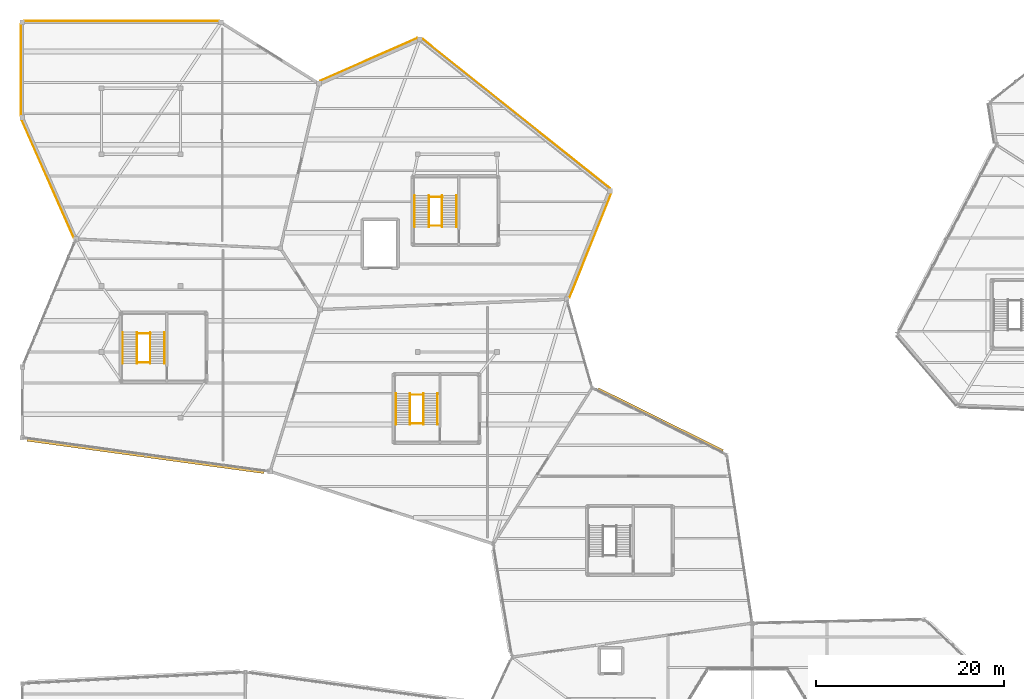
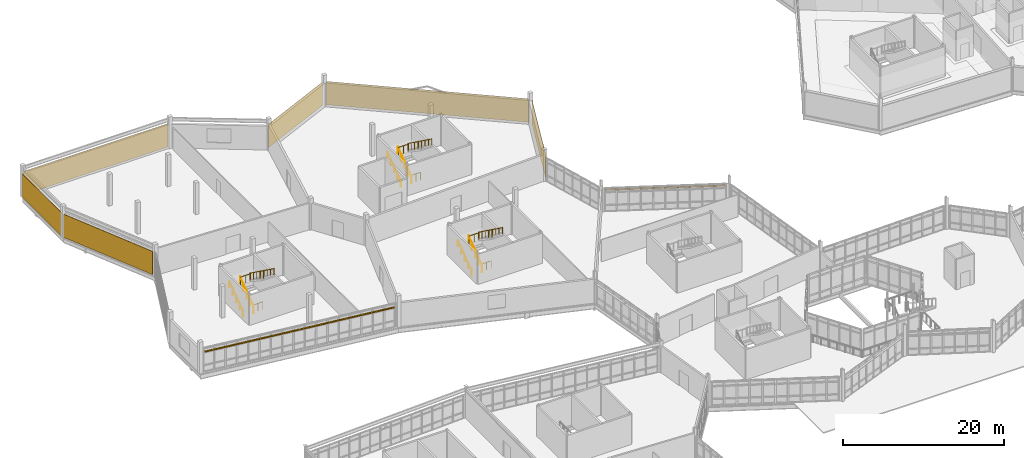
# One storey, part 132 of 134: 18 railings, 6 coverings, 2 shading devices.
"""IFC4 building model written with IfcOpenShell, lengths in metres."""

from ifc_helpers import new_model, si_unit, direction, frame, frame_2d, origin, origin_2d, place, context, subcontext, project, spatial, rectangle, circle, extrude, material, layer, layer_set, type_object, element, save


model = new_model("IFC4")

# Units and contexts
model_context = context("Model", 3, precision=1e-05, world=origin(), true_north=direction((0.0, 1.0)))
body_context = subcontext(model_context, "Body", "Model", "MODEL_VIEW")
ifc_project = project(units=[si_unit("LENGTHUNIT", "METRE"), si_unit("AREAUNIT", "SQUARE_METRE"), si_unit("VOLUMEUNIT", "CUBIC_METRE"), si_unit("PLANEANGLEUNIT", "RADIAN"), si_unit("MASSUNIT", "GRAM", prefix="KILO")], contexts=[model_context])

# Site, building, storey
site_placement = place(None, origin())
site = spatial("IfcSite", under=ifc_project, at=site_placement, CompositionType="ELEMENT")
building_placement = place(site_placement, origin())
building = spatial("IfcBuilding", under=site, at=building_placement, Name="Tameran Prism Museum", CompositionType="ELEMENT")
storey_placement = place(building_placement, frame((0.0, 0.0, 5.39990234375)))
storey = spatial("IfcBuildingStorey", under=building, at=storey_placement, Name="L01", CompositionType="ELEMENT", Elevation=5.39990234375)

# Coverings
ifc_material_1 = material(Name="White Fluted Mineral Precast GRC", Category="concrete")
ifc_layer_1 = layer(ifc_material_1, 0.044921875)
ifc_layer_set_1 = layer_set([ifc_layer_1])
covering_type = type_object("IfcCoveringType", Name="CV-FLUTE-WHT", PredefinedType="CLADDING", material=ifc_layer_set_1)
covering_1_placement = place(storey_placement, frame((62.537109375, 93.85107421875, 0.050048828125), z_axis=(0.0, 0.0, 1.0), x_axis=(-0.371394194095, -0.928475283781, 0.0)))
element("IfcCovering", 1, at=covering_1_placement, inside=storey, type_object=covering_type, Name="Vertical Fluted White Precast Panel CL-0020", PredefinedType="CLADDING", context=body_context, shape_type="SweptSolid", body=[
    extrude(rectangle(XDim=11.966064453125, YDim=0.044921875, at=frame_2d((5.98291015625, 0.0))), origin(), (0.0, 0.0, 1.0), 3.52001953125),
])
covering_2_placement = place(storey_placement, frame((42.47802734375, 110.260009765625, 0.050048828125), z_axis=(0.0, 0.0, 1.0), x_axis=(0.781985968603, -0.623296033123, 0.0)))
element("IfcCovering", 2, at=covering_2_placement, inside=storey, type_object=covering_type, Name="Vertical Fluted White Precast Panel CL-0021", PredefinedType="CLADDING", context=body_context, shape_type="SweptSolid", body=[
    extrude(rectangle(XDim=25.470947265625, YDim=0.044921875, at=frame_2d((12.7353515625, 0.0))), origin(), (0.0, 0.0, 1.0), 3.52001953125),
])
covering_3_placement = place(storey_placement, frame((31.631103515625, 105.798095703125, 0.050048828125), z_axis=(0.0, 0.0, 1.0), x_axis=(0.915576515627, 0.402143810137, 0.0)))
element("IfcCovering", 3, at=covering_3_placement, inside=storey, type_object=covering_type, Name="Vertical Fluted White Precast Panel CL-0022", PredefinedType="CLADDING", context=body_context, shape_type="SweptSolid", body=[
    extrude(rectangle(XDim=11.26708984375, YDim=0.044921875, at=frame_2d((5.633544921875, 0.0))), origin(), (0.0, 0.0, 1.0), 3.52001953125),
])
covering_4_placement = place(storey_placement, frame((0.179931640625, 112.1650390625, 0.050048828125), z_axis=(0.0, 0.0, 1.0), x_axis=(1.0, 0.0, 0.0)))
element("IfcCovering", 4, at=covering_4_placement, inside=storey, type_object=covering_type, Name="Vertical Fluted White Precast Panel CL-0023", PredefinedType="CLADDING", context=body_context, shape_type="SweptSolid", body=[
    extrude(rectangle(XDim=20.739990234375, YDim=0.044921875, at=frame_2d((10.3701171875, 0.0))), origin(), (0.0, 0.0, 1.0), 3.52001953125),
])
covering_5_placement = place(storey_placement, frame((-0.1650390625, 102.080078125, 0.050048828125), z_axis=(0.0, 0.0, 1.0), x_axis=(0.0, 1.0, 0.0)))
element("IfcCovering", 5, at=covering_5_placement, inside=storey, type_object=covering_type, Name="Vertical Fluted White Precast Panel CL-0024", PredefinedType="CLADDING", context=body_context, shape_type="SweptSolid", body=[
    extrude(rectangle(XDim=9.739990234375, YDim=0.044921875, at=frame_2d((4.8701171875, 0.0))), origin(), (0.0, 0.0, 1.0), 3.52001953125),
])
covering_6_placement = place(storey_placement, frame((5.451904296875, 89.153076171875, 0.050048828125), z_axis=(0.0, 0.0, 1.0), x_axis=(-0.404134339235, 0.914699642424, 0.0)))
element("IfcCovering", 6, at=covering_6_placement, inside=storey, type_object=covering_type, Name="Vertical Fluted White Precast Panel CL-0025", PredefinedType="CLADDING", context=body_context, shape_type="SweptSolid", body=[
    extrude(rectangle(XDim=13.68310546875, YDim=0.044921875, at=frame_2d((6.841552734375, 0.0))), origin(), (0.0, 0.0, 1.0), 3.52001953125),
])

# Railings
ifc_material_2 = material(Name="Marine Stainless Steel 316", Category="steel")
ifc_layer_2 = layer(ifc_material_2, 0.054931640625)
ifc_layer_set_2 = layer_set([ifc_layer_2])
railing_type_1 = type_object("IfcRailingType", Name="RL-GR-1120", PredefinedType="GUARDRAIL", material=ifc_layer_set_2)
railing_1_placement = place(storey_placement, frame((41.18994140625, 69.39990234375, 0.0)))
element("IfcRailing", 7, at=railing_1_placement, inside=storey, type_object=railing_type_1, Name="Stair Well Slot Guard GR-S144", PredefinedType="GUARDRAIL", context=body_context, shape_type="SweptSolid", body=[
    extrude(circle(Radius=0.02392578125, at=origin_2d()), frame((0.0, 0.0, 1.1259765625), z_axis=(1.0, 0.0, 0.0), x_axis=(0.0, 1.0, 0.0)), (0.0, 0.0, 1.0), 1.3701171875),
    extrude(circle(Radius=0.02099609375, at=origin_2d()), origin(), (0.0, 0.0, 1.0), 1.101806640625),
    extrude(circle(Radius=0.02099609375, at=origin_2d()), frame((0.68505859375, 0.0, 0.0)), (0.0, 0.0, 1.0), 1.101806640625),
    extrude(circle(Radius=0.02099609375, at=origin_2d()), frame((1.3701171875, 0.0, 0.0)), (0.0, 0.0, 1.0), 1.101806640625),
])
railing_2_placement = place(storey_placement, frame((41.169921875, 69.280029296875, 0.0)))
element("IfcRailing", 8, at=railing_2_placement, inside=storey, type_object=railing_type_1, Name="Stair Well Guardrail GR-S145", PredefinedType="GUARDRAIL", context=body_context, shape_type="SweptSolid", body=[
    extrude(circle(Radius=0.02392578125, at=origin_2d()), frame((0.0, 0.0, 1.1259765625), z_axis=(0.0, 0.809980229442, 0.586457183359), x_axis=(-1.0, 0.0, 0.0)), (0.0, 0.0, 1.0), 4.092529296875),
    extrude(circle(Radius=0.02099609375, at=origin_2d()), origin(), (0.0, 0.0, 1.0), 1.101806640625),
    extrude(circle(Radius=0.02099609375, at=origin_2d()), frame((0.0, 0.82861328125, 0.60009765625)), (0.0, 0.0, 1.0), 1.101806640625),
    extrude(circle(Radius=0.02099609375, at=origin_2d()), frame((0.0, 1.657470703125, 1.2001953125)), (0.0, 0.0, 1.0), 1.101806640625),
    extrude(circle(Radius=0.02099609375, at=origin_2d()), frame((0.0, 2.486328125, 1.800048828125)), (0.0, 0.0, 1.0), 1.101806640625),
    extrude(circle(Radius=0.02099609375, at=origin_2d()), frame((0.0, 3.31494140625, 2.400146484375)), (0.0, 0.0, 1.0), 1.101806640625),
])
railing_3_placement = place(storey_placement, frame((42.580078125, 72.594970703125, 2.400146484375)))
element("IfcRailing", 9, at=railing_3_placement, inside=storey, type_object=railing_type_1, Name="Stair Well Guardrail GR-S146", PredefinedType="GUARDRAIL", context=body_context, shape_type="SweptSolid", body=[
    extrude(circle(Radius=0.02392578125, at=origin_2d()), frame((0.0, 0.0, 1.1259765625), z_axis=(0.0, -0.810008566192, 0.586418044312), x_axis=(1.0, 0.0, 0.0)), (0.0, 0.0, 1.0), 4.092529296875),
    extrude(circle(Radius=0.02099609375, at=origin_2d()), origin(), (0.0, 0.0, 1.0), 1.101806640625),
    extrude(circle(Radius=0.02099609375, at=origin_2d()), frame((0.0, -0.82861328125, 0.60009765625)), (0.0, 0.0, 1.0), 1.101806640625),
    extrude(circle(Radius=0.02099609375, at=origin_2d()), frame((0.0, -1.657470703125, 1.199951171875)), (0.0, 0.0, 1.0), 1.101806640625),
    extrude(circle(Radius=0.02099609375, at=origin_2d()), frame((0.0, -2.486328125, 1.7998046875)), (0.0, 0.0, 1.0), 1.101806640625),
    extrude(circle(Radius=0.02099609375, at=origin_2d()), frame((0.0, -3.31494140625, 2.39990234375)), (0.0, 0.0, 1.0), 1.101806640625),
])
railing_4_placement = place(storey_placement, frame((41.14990234375, 72.455078125, 2.400146484375)))
element("IfcRailing", 10, at=railing_4_placement, inside=storey, type_object=railing_type_1, Name="Landing Well Guardrail GR-S147", PredefinedType="GUARDRAIL", context=body_context, shape_type="SweptSolid", body=[
    extrude(circle(Radius=0.02392578125, at=origin_2d()), frame((0.0, 0.0, 1.1259765625), z_axis=(1.0, 0.0, 0.0), x_axis=(0.0, 1.0, 0.0)), (0.0, 0.0, 1.0), 1.4501953125),
    extrude(circle(Radius=0.02099609375, at=origin_2d()), origin(), (0.0, 0.0, 1.0), 1.101806640625),
    extrude(circle(Radius=0.02099609375, at=origin_2d()), frame((0.72509765625, 0.0, 0.0)), (0.0, 0.0, 1.0), 1.101806640625),
    extrude(circle(Radius=0.02099609375, at=origin_2d()), frame((1.4501953125, 0.0, 0.0)), (0.0, 0.0, 1.0), 1.101806640625),
])
railing_5_placement = place(storey_placement, frame((12.18994140625, 75.89990234375, 0.0)))
element("IfcRailing", 11, at=railing_5_placement, inside=storey, type_object=railing_type_1, Name="Stair Well Slot Guard GR-S168", PredefinedType="GUARDRAIL", context=body_context, shape_type="SweptSolid", body=[
    extrude(circle(Radius=0.02392578125, at=origin_2d()), frame((0.0, 0.0, 1.1259765625), z_axis=(1.0, 0.0, 0.0), x_axis=(0.0, 1.0, 0.0)), (0.0, 0.0, 1.0), 1.3701171875),
    extrude(circle(Radius=0.02099609375, at=origin_2d()), origin(), (0.0, 0.0, 1.0), 1.101806640625),
    extrude(circle(Radius=0.02099609375, at=origin_2d()), frame((0.68505859375, 0.0, 0.0)), (0.0, 0.0, 1.0), 1.101806640625),
    extrude(circle(Radius=0.02099609375, at=origin_2d()), frame((1.3701171875, 0.0, 0.0)), (0.0, 0.0, 1.0), 1.101806640625),
])
railing_6_placement = place(storey_placement, frame((12.169921875, 75.780029296875, 0.0)))
element("IfcRailing", 12, at=railing_6_placement, inside=storey, type_object=railing_type_1, Name="Stair Well Guardrail GR-S169", PredefinedType="GUARDRAIL", context=body_context, shape_type="SweptSolid", body=[
    extrude(circle(Radius=0.02392578125, at=origin_2d()), frame((0.0, 0.0, 1.1259765625), z_axis=(0.0, 0.809980229442, 0.586457183359), x_axis=(-1.0, 0.0, 0.0)), (0.0, 0.0, 1.0), 4.092529296875),
    extrude(circle(Radius=0.02099609375, at=origin_2d()), origin(), (0.0, 0.0, 1.0), 1.101806640625),
    extrude(circle(Radius=0.02099609375, at=origin_2d()), frame((0.0, 0.82861328125, 0.60009765625)), (0.0, 0.0, 1.0), 1.101806640625),
    extrude(circle(Radius=0.02099609375, at=origin_2d()), frame((0.0, 1.657470703125, 1.2001953125)), (0.0, 0.0, 1.0), 1.101806640625),
    extrude(circle(Radius=0.02099609375, at=origin_2d()), frame((0.0, 2.486328125, 1.800048828125)), (0.0, 0.0, 1.0), 1.101806640625),
    extrude(circle(Radius=0.02099609375, at=origin_2d()), frame((0.0, 3.31494140625, 2.400146484375)), (0.0, 0.0, 1.0), 1.101806640625),
])
railing_7_placement = place(storey_placement, frame((13.580078125, 79.094970703125, 2.400146484375)))
element("IfcRailing", 13, at=railing_7_placement, inside=storey, type_object=railing_type_1, Name="Stair Well Guardrail GR-S170", PredefinedType="GUARDRAIL", context=body_context, shape_type="SweptSolid", body=[
    extrude(circle(Radius=0.02392578125, at=origin_2d()), frame((0.0, 0.0, 1.1259765625), z_axis=(0.0, -0.810008566192, 0.586418044312), x_axis=(1.0, 0.0, 0.0)), (0.0, 0.0, 1.0), 4.092529296875),
    extrude(circle(Radius=0.02099609375, at=origin_2d()), origin(), (0.0, 0.0, 1.0), 1.101806640625),
    extrude(circle(Radius=0.02099609375, at=origin_2d()), frame((0.0, -0.82861328125, 0.60009765625)), (0.0, 0.0, 1.0), 1.101806640625),
    extrude(circle(Radius=0.02099609375, at=origin_2d()), frame((0.0, -1.657470703125, 1.199951171875)), (0.0, 0.0, 1.0), 1.101806640625),
    extrude(circle(Radius=0.02099609375, at=origin_2d()), frame((0.0, -2.486328125, 1.7998046875)), (0.0, 0.0, 1.0), 1.101806640625),
    extrude(circle(Radius=0.02099609375, at=origin_2d()), frame((0.0, -3.31494140625, 2.39990234375)), (0.0, 0.0, 1.0), 1.101806640625),
])
railing_8_placement = place(storey_placement, frame((12.14990234375, 78.955078125, 2.400146484375)))
element("IfcRailing", 14, at=railing_8_placement, inside=storey, type_object=railing_type_1, Name="Landing Well Guardrail GR-S171", PredefinedType="GUARDRAIL", context=body_context, shape_type="SweptSolid", body=[
    extrude(circle(Radius=0.02392578125, at=origin_2d()), frame((0.0, 0.0, 1.1259765625), z_axis=(1.0, 0.0, 0.0), x_axis=(0.0, 1.0, 0.0)), (0.0, 0.0, 1.0), 1.4501953125),
    extrude(circle(Radius=0.02099609375, at=origin_2d()), origin(), (0.0, 0.0, 1.0), 1.101806640625),
    extrude(circle(Radius=0.02099609375, at=origin_2d()), frame((0.72509765625, 0.0, 0.0)), (0.0, 0.0, 1.0), 1.101806640625),
    extrude(circle(Radius=0.02099609375, at=origin_2d()), frame((1.4501953125, 0.0, 0.0)), (0.0, 0.0, 1.0), 1.101806640625),
])
railing_9_placement = place(storey_placement, frame((43.18994140625, 90.39990234375, 0.0)))
element("IfcRailing", 15, at=railing_9_placement, inside=storey, type_object=railing_type_1, Name="Stair Well Slot Guard GR-S204", PredefinedType="GUARDRAIL", context=body_context, shape_type="SweptSolid", body=[
    extrude(circle(Radius=0.02392578125, at=origin_2d()), frame((0.0, 0.0, 1.1259765625), z_axis=(1.0, 0.0, 0.0), x_axis=(0.0, 1.0, 0.0)), (0.0, 0.0, 1.0), 1.3701171875),
    extrude(circle(Radius=0.02099609375, at=origin_2d()), origin(), (0.0, 0.0, 1.0), 1.101806640625),
    extrude(circle(Radius=0.02099609375, at=origin_2d()), frame((0.68505859375, 0.0, 0.0)), (0.0, 0.0, 1.0), 1.101806640625),
    extrude(circle(Radius=0.02099609375, at=origin_2d()), frame((1.3701171875, 0.0, 0.0)), (0.0, 0.0, 1.0), 1.101806640625),
])
railing_10_placement = place(storey_placement, frame((43.169921875, 90.280029296875, 0.0)))
element("IfcRailing", 16, at=railing_10_placement, inside=storey, type_object=railing_type_1, Name="Stair Well Guardrail GR-S205", PredefinedType="GUARDRAIL", context=body_context, shape_type="SweptSolid", body=[
    extrude(circle(Radius=0.02392578125, at=origin_2d()), frame((0.0, 0.0, 1.1259765625), z_axis=(0.0, 0.809980229442, 0.586457183359), x_axis=(-1.0, 0.0, 0.0)), (0.0, 0.0, 1.0), 4.092529296875),
    extrude(circle(Radius=0.02099609375, at=origin_2d()), origin(), (0.0, 0.0, 1.0), 1.101806640625),
    extrude(circle(Radius=0.02099609375, at=origin_2d()), frame((0.0, 0.82861328125, 0.60009765625)), (0.0, 0.0, 1.0), 1.101806640625),
    extrude(circle(Radius=0.02099609375, at=origin_2d()), frame((0.0, 1.657470703125, 1.2001953125)), (0.0, 0.0, 1.0), 1.101806640625),
    extrude(circle(Radius=0.02099609375, at=origin_2d()), frame((0.0, 2.486328125, 1.800048828125)), (0.0, 0.0, 1.0), 1.101806640625),
    extrude(circle(Radius=0.02099609375, at=origin_2d()), frame((0.0, 3.31494140625, 2.400146484375)), (0.0, 0.0, 1.0), 1.101806640625),
])
railing_11_placement = place(storey_placement, frame((44.580078125, 93.594970703125, 2.400146484375)))
element("IfcRailing", 17, at=railing_11_placement, inside=storey, type_object=railing_type_1, Name="Stair Well Guardrail GR-S206", PredefinedType="GUARDRAIL", context=body_context, shape_type="SweptSolid", body=[
    extrude(circle(Radius=0.02392578125, at=origin_2d()), frame((0.0, 0.0, 1.1259765625), z_axis=(0.0, -0.810008566192, 0.586418044312), x_axis=(1.0, 0.0, 0.0)), (0.0, 0.0, 1.0), 4.092529296875),
    extrude(circle(Radius=0.02099609375, at=origin_2d()), origin(), (0.0, 0.0, 1.0), 1.101806640625),
    extrude(circle(Radius=0.02099609375, at=origin_2d()), frame((0.0, -0.82861328125, 0.60009765625)), (0.0, 0.0, 1.0), 1.101806640625),
    extrude(circle(Radius=0.02099609375, at=origin_2d()), frame((0.0, -1.657470703125, 1.199951171875)), (0.0, 0.0, 1.0), 1.101806640625),
    extrude(circle(Radius=0.02099609375, at=origin_2d()), frame((0.0, -2.486328125, 1.7998046875)), (0.0, 0.0, 1.0), 1.101806640625),
    extrude(circle(Radius=0.02099609375, at=origin_2d()), frame((0.0, -3.31494140625, 2.39990234375)), (0.0, 0.0, 1.0), 1.101806640625),
])
railing_12_placement = place(storey_placement, frame((43.14990234375, 93.455078125, 2.400146484375)))
element("IfcRailing", 18, at=railing_12_placement, inside=storey, type_object=railing_type_1, Name="Landing Well Guardrail GR-S207", PredefinedType="GUARDRAIL", context=body_context, shape_type="SweptSolid", body=[
    extrude(circle(Radius=0.02392578125, at=origin_2d()), frame((0.0, 0.0, 1.1259765625), z_axis=(1.0, 0.0, 0.0), x_axis=(0.0, 1.0, 0.0)), (0.0, 0.0, 1.0), 1.4501953125),
    extrude(circle(Radius=0.02099609375, at=origin_2d()), origin(), (0.0, 0.0, 1.0), 1.101806640625),
    extrude(circle(Radius=0.02099609375, at=origin_2d()), frame((0.72509765625, 0.0, 0.0)), (0.0, 0.0, 1.0), 1.101806640625),
    extrude(circle(Radius=0.02099609375, at=origin_2d()), frame((1.4501953125, 0.0, 0.0)), (0.0, 0.0, 1.0), 1.101806640625),
])
ifc_material_3 = material(Name="Brushed Stainless Steel 316", Category="steel")
ifc_layer_3 = layer(ifc_material_3, 0.048095703125)
ifc_layer_set_3 = layer_set([ifc_layer_3])
railing_type_2 = type_object("IfcRailingType", Name="RL-HR-920", PredefinedType="HANDRAIL", material=ifc_layer_set_3)
railing_13_placement = place(storey_placement, frame((39.659912109375, 69.280029296875, 0.0)))
element("IfcRailing", 19, at=railing_13_placement, inside=storey, type_object=railing_type_2, Name="Stair Flight Handrail HR-073", PredefinedType="HANDRAIL", context=body_context, shape_type="SweptSolid", body=[
    extrude(circle(Radius=0.02392578125, at=origin_2d()), frame((0.0, 0.0, 0.89599609375), z_axis=(0.0, 0.809980229442, 0.586457183359), x_axis=(-1.0, 0.0, 0.0)), (0.0, 0.0, 1.0), 4.092529296875),
    extrude(circle(Radius=0.02099609375, at=origin_2d()), origin(), (0.0, 0.0, 1.0), 0.871826171875),
    extrude(circle(Radius=0.02099609375, at=origin_2d()), frame((0.0, 0.82861328125, 0.60009765625)), (0.0, 0.0, 1.0), 0.871826171875),
    extrude(circle(Radius=0.02099609375, at=origin_2d()), frame((0.0, 1.657470703125, 1.2001953125)), (0.0, 0.0, 1.0), 0.871826171875),
    extrude(circle(Radius=0.02099609375, at=origin_2d()), frame((0.0, 2.486328125, 1.800048828125)), (0.0, 0.0, 1.0), 0.871826171875),
    extrude(circle(Radius=0.02099609375, at=origin_2d()), frame((0.0, 3.31494140625, 2.400146484375)), (0.0, 0.0, 1.0), 0.871826171875),
])
railing_14_placement = place(storey_placement, frame((44.090087890625, 72.594970703125, 2.400146484375)))
element("IfcRailing", 20, at=railing_14_placement, inside=storey, type_object=railing_type_2, Name="Stair Flight Handrail HR-074", PredefinedType="HANDRAIL", context=body_context, shape_type="SweptSolid", body=[
    extrude(circle(Radius=0.02392578125, at=origin_2d()), frame((0.0, 0.0, 0.89599609375), z_axis=(0.0, -0.810008566192, 0.586418044312), x_axis=(1.0, 0.0, 0.0)), (0.0, 0.0, 1.0), 4.092529296875),
    extrude(circle(Radius=0.02099609375, at=origin_2d()), origin(), (0.0, 0.0, 1.0), 0.871826171875),
    extrude(circle(Radius=0.02099609375, at=origin_2d()), frame((0.0, -0.82861328125, 0.60009765625)), (0.0, 0.0, 1.0), 0.871826171875),
    extrude(circle(Radius=0.02099609375, at=origin_2d()), frame((0.0, -1.657470703125, 1.199951171875)), (0.0, 0.0, 1.0), 0.871826171875),
    extrude(circle(Radius=0.02099609375, at=origin_2d()), frame((0.0, -2.486328125, 1.7998046875)), (0.0, 0.0, 1.0), 0.871826171875),
    extrude(circle(Radius=0.02099609375, at=origin_2d()), frame((0.0, -3.31494140625, 2.39990234375)), (0.0, 0.0, 1.0), 0.871826171875),
])
railing_15_placement = place(storey_placement, frame((10.659912109375, 75.780029296875, 0.0)))
element("IfcRailing", 21, at=railing_15_placement, inside=storey, type_object=railing_type_2, Name="Stair Flight Handrail HR-085", PredefinedType="HANDRAIL", context=body_context, shape_type="SweptSolid", body=[
    extrude(circle(Radius=0.02392578125, at=origin_2d()), frame((0.0, 0.0, 0.89599609375), z_axis=(0.0, 0.809980229442, 0.586457183359), x_axis=(-1.0, 0.0, 0.0)), (0.0, 0.0, 1.0), 4.092529296875),
    extrude(circle(Radius=0.02099609375, at=origin_2d()), origin(), (0.0, 0.0, 1.0), 0.871826171875),
    extrude(circle(Radius=0.02099609375, at=origin_2d()), frame((0.0, 0.82861328125, 0.60009765625)), (0.0, 0.0, 1.0), 0.871826171875),
    extrude(circle(Radius=0.02099609375, at=origin_2d()), frame((0.0, 1.657470703125, 1.2001953125)), (0.0, 0.0, 1.0), 0.871826171875),
    extrude(circle(Radius=0.02099609375, at=origin_2d()), frame((0.0, 2.486328125, 1.800048828125)), (0.0, 0.0, 1.0), 0.871826171875),
    extrude(circle(Radius=0.02099609375, at=origin_2d()), frame((0.0, 3.31494140625, 2.400146484375)), (0.0, 0.0, 1.0), 0.871826171875),
])
railing_16_placement = place(storey_placement, frame((15.090087890625, 79.094970703125, 2.400146484375)))
element("IfcRailing", 22, at=railing_16_placement, inside=storey, type_object=railing_type_2, Name="Stair Flight Handrail HR-086", PredefinedType="HANDRAIL", context=body_context, shape_type="SweptSolid", body=[
    extrude(circle(Radius=0.02392578125, at=origin_2d()), frame((0.0, 0.0, 0.89599609375), z_axis=(0.0, -0.810008566192, 0.586418044312), x_axis=(1.0, 0.0, 0.0)), (0.0, 0.0, 1.0), 4.092529296875),
    extrude(circle(Radius=0.02099609375, at=origin_2d()), origin(), (0.0, 0.0, 1.0), 0.871826171875),
    extrude(circle(Radius=0.02099609375, at=origin_2d()), frame((0.0, -0.82861328125, 0.60009765625)), (0.0, 0.0, 1.0), 0.871826171875),
    extrude(circle(Radius=0.02099609375, at=origin_2d()), frame((0.0, -1.657470703125, 1.199951171875)), (0.0, 0.0, 1.0), 0.871826171875),
    extrude(circle(Radius=0.02099609375, at=origin_2d()), frame((0.0, -2.486328125, 1.7998046875)), (0.0, 0.0, 1.0), 0.871826171875),
    extrude(circle(Radius=0.02099609375, at=origin_2d()), frame((0.0, -3.31494140625, 2.39990234375)), (0.0, 0.0, 1.0), 0.871826171875),
])
railing_17_placement = place(storey_placement, frame((41.659912109375, 90.280029296875, 0.0)))
element("IfcRailing", 23, at=railing_17_placement, inside=storey, type_object=railing_type_2, Name="Stair Flight Handrail HR-103", PredefinedType="HANDRAIL", context=body_context, shape_type="SweptSolid", body=[
    extrude(circle(Radius=0.02392578125, at=origin_2d()), frame((0.0, 0.0, 0.89599609375), z_axis=(0.0, 0.809980229442, 0.586457183359), x_axis=(-1.0, 0.0, 0.0)), (0.0, 0.0, 1.0), 4.092529296875),
    extrude(circle(Radius=0.02099609375, at=origin_2d()), origin(), (0.0, 0.0, 1.0), 0.871826171875),
    extrude(circle(Radius=0.02099609375, at=origin_2d()), frame((0.0, 0.82861328125, 0.60009765625)), (0.0, 0.0, 1.0), 0.871826171875),
    extrude(circle(Radius=0.02099609375, at=origin_2d()), frame((0.0, 1.657470703125, 1.2001953125)), (0.0, 0.0, 1.0), 0.871826171875),
    extrude(circle(Radius=0.02099609375, at=origin_2d()), frame((0.0, 2.486328125, 1.800048828125)), (0.0, 0.0, 1.0), 0.871826171875),
    extrude(circle(Radius=0.02099609375, at=origin_2d()), frame((0.0, 3.31494140625, 2.400146484375)), (0.0, 0.0, 1.0), 0.871826171875),
])
railing_18_placement = place(storey_placement, frame((46.090087890625, 93.594970703125, 2.400146484375)))
element("IfcRailing", 24, at=railing_18_placement, inside=storey, type_object=railing_type_2, Name="Stair Flight Handrail HR-104", PredefinedType="HANDRAIL", context=body_context, shape_type="SweptSolid", body=[
    extrude(circle(Radius=0.02392578125, at=origin_2d()), frame((0.0, 0.0, 0.89599609375), z_axis=(0.0, -0.810008566192, 0.586418044312), x_axis=(1.0, 0.0, 0.0)), (0.0, 0.0, 1.0), 4.092529296875),
    extrude(circle(Radius=0.02099609375, at=origin_2d()), origin(), (0.0, 0.0, 1.0), 0.871826171875),
    extrude(circle(Radius=0.02099609375, at=origin_2d()), frame((0.0, -0.82861328125, 0.60009765625)), (0.0, 0.0, 1.0), 0.871826171875),
    extrude(circle(Radius=0.02099609375, at=origin_2d()), frame((0.0, -1.657470703125, 1.199951171875)), (0.0, 0.0, 1.0), 0.871826171875),
    extrude(circle(Radius=0.02099609375, at=origin_2d()), frame((0.0, -2.486328125, 1.7998046875)), (0.0, 0.0, 1.0), 0.871826171875),
    extrude(circle(Radius=0.02099609375, at=origin_2d()), frame((0.0, -3.31494140625, 2.39990234375)), (0.0, 0.0, 1.0), 0.871826171875),
])

# Shading devices
ifc_material_4 = material(Name="Anodised Aluminium Alloy 6063-T6", Category="aluminium")
ifc_layer_4 = layer(ifc_material_4, 0.044921875)
ifc_layer_set_4 = layer_set([ifc_layer_4])
shading_device_type_1 = type_object("IfcShadingDeviceType", Name="SH-JAL-240", PredefinedType="JALOUSIE", material=ifc_layer_set_4)
shading_device_1_placement = place(storey_placement, frame((67.757080078125, 69.797119140625, 3.14013671875), z_axis=(0.0, 0.0, 1.0), x_axis=(0.895711760239, -0.444635179185, 0.0)))
element("IfcShadingDevice", 25, at=shading_device_1_placement, inside=storey, type_object=shading_device_type_1, Name="Monsoon Storm Louvre SLV-026", PredefinedType="JALOUSIE", context=body_context, shape_type="SweptSolid", body=[
    extrude(rectangle(XDim=14.804931640625, YDim=0.260009765625, at=origin_2d()), origin(), (0.0, 0.0, 1.0), 0.06005859375),
])
ifc_material_5 = material(Name="Anodised Aluminium Alloy 6063-T6", Category="aluminium")
ifc_layer_5 = layer(ifc_material_5, 0.050048828125)
ifc_layer_set_5 = layer_set([ifc_layer_5])
shading_device_type_2 = type_object("IfcShadingDeviceType", Name="SH-LOUV-300", PredefinedType="SHUTTER", material=ifc_layer_set_5)
shading_device_2_placement = place(storey_placement, frame((13.095947265625, 65.926025390625, 3.14013671875), z_axis=(0.0, 0.0, 1.0), x_axis=(-0.990771512217, 0.135542652249, 0.0)))
element("IfcShadingDevice", 26, at=shading_device_2_placement, inside=storey, type_object=shading_device_type_2, Name="Monsoon Storm Louvre SLV-037", PredefinedType="SHUTTER", context=body_context, shape_type="SweptSolid", body=[
    extrude(rectangle(XDim=25.385986328125, YDim=0.260009765625, at=origin_2d()), origin(), (0.0, 0.0, 1.0), 0.06005859375),
])

save(model, "model.ifc")
